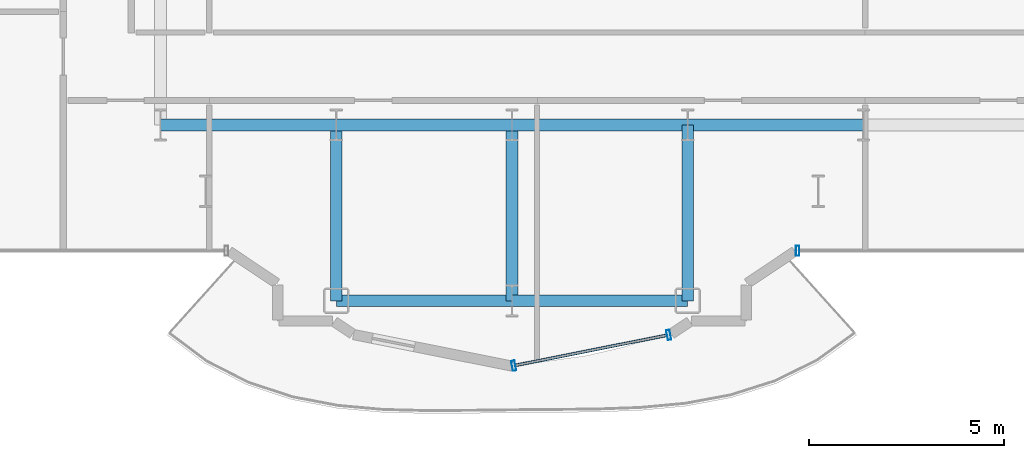
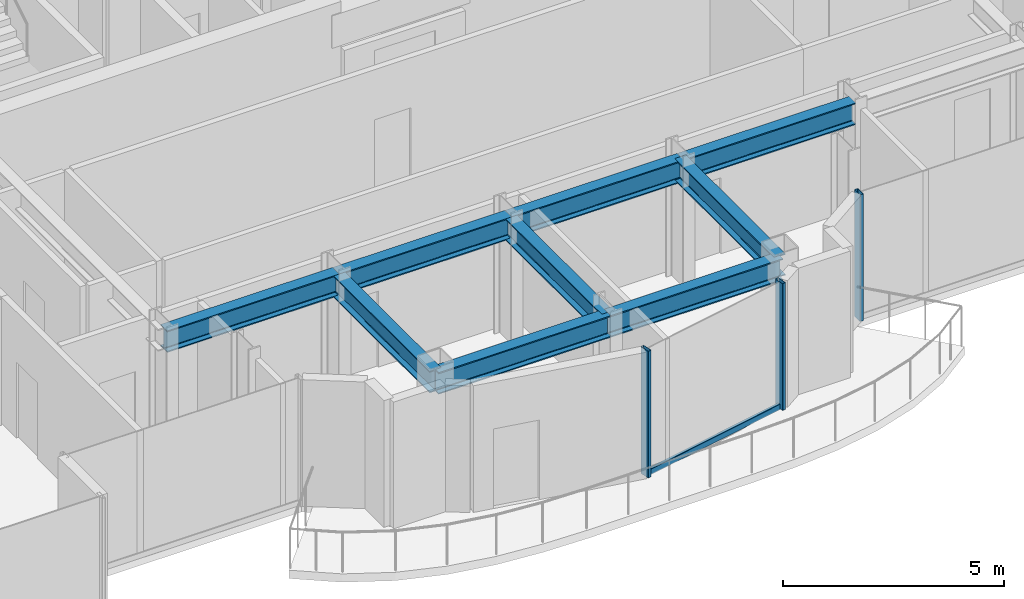
# One storey, part 3 of 21: 9 beams, 4 members, 2 elements without a shape of their own.
"""IFC4 building model written with IfcOpenShell, lengths in metres."""

from ifc_helpers import new_model, si_unit, direction, frame, origin, origin_2d, place, context, subcontext, project, spatial, hollow_rectangle, i_section, extrude, source, transform, mapped, material, layer, layer_set, material_profile, profile_set, type_object, element, aggregate, save


model = new_model("IFC4")

# Units and contexts
model_context = context("Model", 3, precision=1e-05, world=origin(), true_north=direction((0.0, 1.0)))
body_context = subcontext(model_context, "Body", "Model", "MODEL_VIEW")
ifc_project = project(units=[si_unit("LENGTHUNIT", "METRE"), si_unit("AREAUNIT", "SQUARE_METRE"), si_unit("VOLUMEUNIT", "CUBIC_METRE"), si_unit("PLANEANGLEUNIT", "RADIAN"), si_unit("MASSUNIT", "GRAM", prefix="KILO")], contexts=[model_context])

# Site, building, storey
site_placement = place(None, origin())
site = spatial("IfcSite", under=ifc_project, at=site_placement, CompositionType="ELEMENT")
building_placement = place(site_placement, origin())
building = spatial("IfcBuilding", under=site, at=building_placement, Name="Nefas-Gora Pilgrimage Tower", CompositionType="ELEMENT")
storey_placement = place(building_placement, frame((0.0, 0.0, 256.0)))
storey = spatial("IfcBuildingStorey", under=building, at=storey_placement, Name="L64", CompositionType="ELEMENT", Elevation=256.0)

# Beams
ifc_material_1 = material(Name="Steel S355", Category="steel")
ifc_material_profile_1 = material_profile(ifc_material_1, i_section(OverallWidth=0.300048828125, OverallDepth=0.60009765625, WebThickness=0.015380859375, FlangeThickness=0.030029296875, FilletRadius=0.027099609375, at=origin_2d()), Name="HEB 600")
ifc_profile_set_1 = profile_set([ifc_material_profile_1], Name="Steel S355")
beam_type = type_object("IfcBeamType", Name="BM-GIR-HEB600", PredefinedType="BEAM", material=ifc_profile_set_1)
shared_shape_1 = source(origin(), body_context, "Body", "SweptSolid", [
    extrude(i_section(OverallWidth=0.300048828125, OverallDepth=0.60009765625, WebThickness=0.015380859375, FlangeThickness=0.030029296875, FilletRadius=0.027099609375, at=origin_2d()), origin(), (0.0, 0.0, 1.0), 4.5),
])
for number, where, z_axis, x_axis, name in (
    (1, (-11.25, -18.0, 3.199951171875), (1.0, 0.0, 0.0), (0.0, 1.0, 0.0), "L64 G-04 beam"),
    (2, (-6.75, -22.5, 3.199951171875), (0.0, 1.0, 0.0), (-1.0, 0.0, 0.0), "L64 G-04 beam"),
    (3, (-6.75, -22.5, 3.199951171875), (1.0, 0.0, 0.0), (0.0, 1.0, 0.0), "L64 G-04 beam"),
    (4, (-6.75, -18.0, 3.199951171875), (1.0, 0.0, 0.0), (0.0, 1.0, 0.0), "L64 G-04 beam"),
    (5, (-2.25, -22.5, 3.199951171875), (0.0, 1.0, 0.0), (-1.0, 0.0, 0.0), "L64 G-04 beam"),
    (6, (-2.25, -22.5, 3.199951171875), (1.0, 0.0, 0.0), (0.0, 1.0, 0.0), "L64 G-04 beam"),
    (7, (-2.25, -18.0, 3.199951171875), (1.0, 0.0, 0.0), (0.0, 1.0, 0.0), "L64 G-04 beam"),
    (8, (2.25, -22.5, 3.199951171875), (0.0, 1.0, 0.0), (-1.0, 0.0, 0.0), "L64 G-04 beam"),
    (9, (2.25, -18.0, 3.199951171875), (1.0, 0.0, 0.0), (0.0, 1.0, 0.0), "L64 G-04 beam"),
):
    element("IfcBeam", number, at=place(storey_placement, frame(where, z_axis=z_axis, x_axis=x_axis)), inside=storey, type_object=beam_type, Name=name, PredefinedType="BEAM", context=body_context, shape_type="MappedRepresentation", body=[
        mapped(shared_shape_1, transform((0.0, 0.0, 0.0), x_axis=(1.0, 0.0, 0.0), y_axis=(0.0, 1.0, 0.0), z_axis=(0.0, 0.0, 1.0), scale=1.0)),
    ])

# Curtain wall, member
ifc_material_2 = material(Name="Dark ceramic-fritted solar-control aluminium-glass curtain wall", Category="aluminium")
ifc_layer = layer(ifc_material_2, 0.219970703125)
ifc_layer_set = layer_set([ifc_layer], Name="Dark ceramic-fritted solar-control aluminium-glass curtain wall")
curtain_wall_type = type_object("IfcCurtainWallType", Name="CW-SYS-5", PredefinedType="NOTDEFINED", material=ifc_layer_set)
curtain_wall_1_placement = place(storey_placement, origin())
curtain_wall_1 = element("IfcCurtainWall", 10, at=curtain_wall_1_placement, inside=storey, type_object=curtain_wall_type, Name="L64 Unitised Curtain Wall CW5", PredefinedType="NOTDEFINED")
ifc_material_3 = material(Name="Anodised architectural aluminium", Category="aluminium")
ifc_material_profile_2 = material_profile(ifc_material_3, hollow_rectangle(XDim=0.080078125, YDim=0.159912109375, WallThickness=0.00439453125, InnerFilletRadius=0.00439453125, OuterFilletRadius=0.009033203125, at=origin_2d()), Name="ALU TRANSOM 80x160")
ifc_profile_set_2 = profile_set([ifc_material_profile_2], Name="Anodised architectural aluminium")
member_type_1 = type_object("IfcMemberType", Name="CWM-TRN-5", PredefinedType="USERDEFINED", material=ifc_profile_set_2)
shared_shape_2 = source(origin(), body_context, "Body", "SweptSolid", [
    extrude(hollow_rectangle(XDim=0.080078125, YDim=0.159912109375, WallThickness=0.00439453125, InnerFilletRadius=0.00439453125, OuterFilletRadius=0.009033203125, at=origin_2d()), origin(), (0.0, 0.0, 1.0), 3.95654296875),
])
member_1_placement = place(storey_placement, frame((-2.16162109375, -24.15478515625, 0.050048828125), z_axis=(0.980781880918, 0.195107411605, 0.0), x_axis=(-0.195107411605, 0.980781880918, 0.0)))
member_1 = element("IfcMember", 11, at=member_1_placement, type_object=member_type_1, Name="CW5 Spandrel Transom", ObjectType="TRANSOM", PredefinedType="USERDEFINED", context=body_context, shape_type="MappedRepresentation", body=[
    mapped(shared_shape_2, transform((0.0, 0.0, 0.0), x_axis=(1.0, 0.0, 0.0), y_axis=(0.0, 1.0, 0.0), z_axis=(0.0, 0.0, 1.0), scale=1.0)),
])

curtain_wall_2_placement = place(storey_placement, origin())
curtain_wall_2 = element("IfcCurtainWall", 12, at=curtain_wall_2_placement, inside=storey, type_object=curtain_wall_type, Name="L64 Unitised Curtain Wall CW5", PredefinedType="NOTDEFINED")
ifc_material_profile_3 = material_profile(ifc_material_3, hollow_rectangle(XDim=0.090087890625, YDim=0.260009765625, WallThickness=0.006103515625, InnerFilletRadius=0.006103515625, OuterFilletRadius=0.011962890625, at=origin_2d()), Name="ALU MULLION 90x260")
ifc_profile_set_3 = profile_set([ifc_material_profile_3], Name="Anodised architectural aluminium")
member_type_2 = type_object("IfcMemberType", Name="CWM-MUL-5", PredefinedType="MULLION", material=ifc_profile_set_3)
shared_shape_3 = source(origin(), body_context, "Body", "SweptSolid", [
    extrude(hollow_rectangle(XDim=0.090087890625, YDim=0.260009765625, WallThickness=0.006103515625, InnerFilletRadius=0.006103515625, OuterFilletRadius=0.011962890625, at=origin_2d()), origin(), (0.0, 0.0, 1.0), 3.5),
])
member_2_placement = place(storey_placement, frame((5.06298828125, -21.219970703125, 0.0), z_axis=(0.0, 0.0, 1.0), x_axis=(1.0, 0.0, 0.0)))
member_2 = element("IfcMember", 13, at=member_2_placement, type_object=member_type_2, Name="CW5 Mullion 1", PredefinedType="MULLION", context=body_context, shape_type="MappedRepresentation", body=[
    mapped(shared_shape_3, transform((0.0, 0.0, 0.0), x_axis=(1.0, 0.0, 0.0), y_axis=(0.0, 1.0, 0.0), z_axis=(0.0, 0.0, 1.0), scale=1.0)),
])
aggregate(curtain_wall_2, [member_2])

# Member
member_3_placement = place(storey_placement, frame((-2.205810546875, -24.16357421875, 0.0), z_axis=(0.0, 0.0, 1.0), x_axis=(0.980782896852, 0.195102304554, 0.0)))
member_3 = element("IfcMember", 14, at=member_3_placement, type_object=member_type_2, Name="CW5 Mullion 1", PredefinedType="MULLION", context=body_context, shape_type="MappedRepresentation", body=[
    mapped(shared_shape_3, transform((0.0, 0.0, 0.0), x_axis=(1.0, 0.0, 0.0), y_axis=(0.0, 1.0, 0.0), z_axis=(0.0, 0.0, 1.0), scale=1.0)),
])

member_4_placement = place(storey_placement, frame((1.76318359375, -23.3740234375, 0.0), z_axis=(0.0, 0.0, 1.0), x_axis=(0.980782896852, 0.195102304554, 0.0)))
member_4 = element("IfcMember", 15, at=member_4_placement, type_object=member_type_2, Name="CW5 Mullion 2", PredefinedType="MULLION", context=body_context, shape_type="MappedRepresentation", body=[
    mapped(shared_shape_3, transform((0.0, 0.0, 0.0), x_axis=(1.0, 0.0, 0.0), y_axis=(0.0, 1.0, 0.0), z_axis=(0.0, 0.0, 1.0), scale=1.0)),
])

aggregate(curtain_wall_1, [member_3, member_4, member_1])

save(model, "model.ifc")
